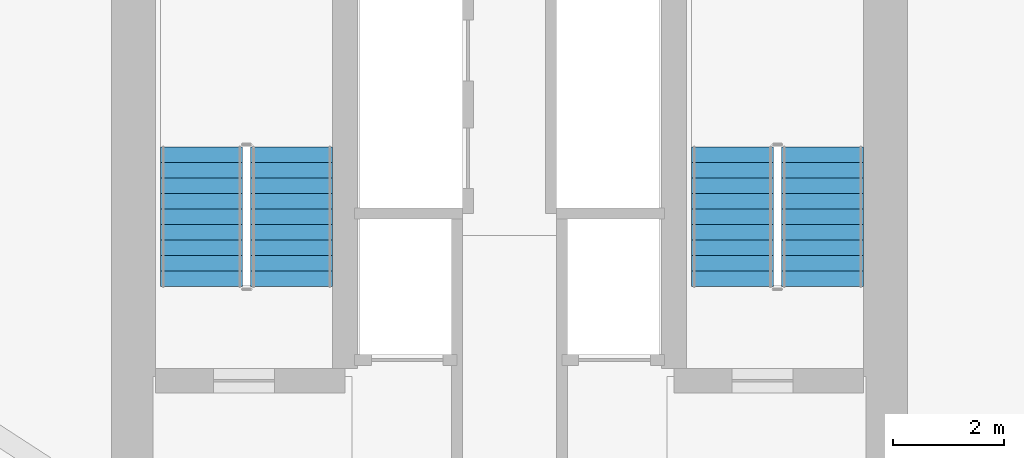
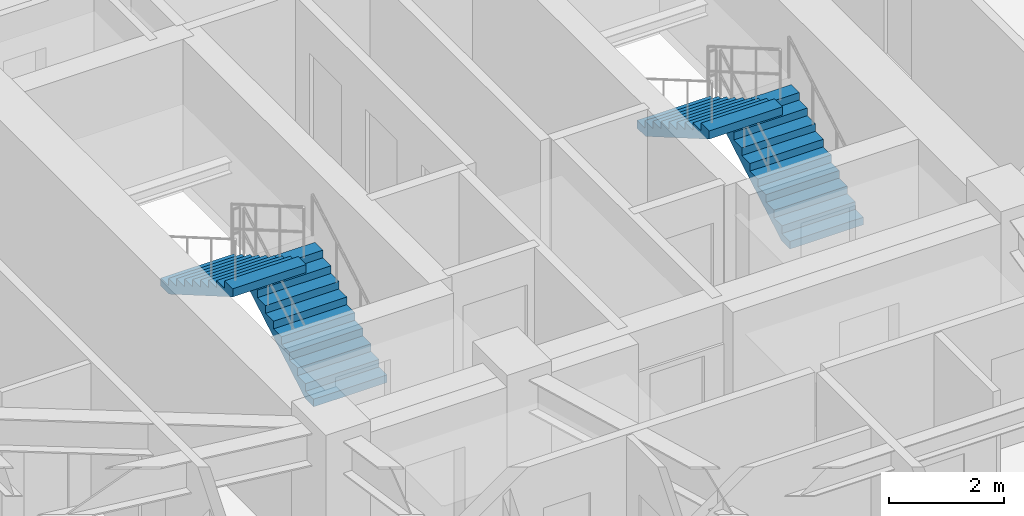
# One storey, part 37 of 39: 4 stair flights, 2 elements without a shape of their own.
"""IFC4 building model written with IfcOpenShell, lengths in metres."""

from ifc_helpers import new_model, si_unit, direction, frame, origin, place, context, subcontext, project, spatial, polyline, outline, extrude, material, type_object, element, aggregate, save


model = new_model("IFC4")

# Units and contexts
model_context = context("Model", 3, precision=1e-05, world=origin(), true_north=direction((0.0, 1.0)))
body_context = subcontext(model_context, "Body", "Model", "MODEL_VIEW")
ifc_project = project(units=[si_unit("LENGTHUNIT", "METRE"), si_unit("AREAUNIT", "SQUARE_METRE"), si_unit("VOLUMEUNIT", "CUBIC_METRE"), si_unit("PLANEANGLEUNIT", "RADIAN"), si_unit("MASSUNIT", "GRAM", prefix="KILO")], contexts=[model_context])

# Site, building, storey
site_placement = place(None, origin())
site = spatial("IfcSite", under=ifc_project, at=site_placement, CompositionType="ELEMENT")
building_placement = place(site_placement, origin())
building = spatial("IfcBuilding", under=site, at=building_placement, Name="Veraguas Prism Commons", CompositionType="ELEMENT")
storey_placement = place(building_placement, frame((0.0, 0.0, 67.35009765625)))
storey = spatial("IfcBuildingStorey", under=building, at=storey_placement, Name="L18", CompositionType="ELEMENT", Elevation=67.35009765625)

# Stair, stair flights
ifc_material = material(Name="Precast concrete C45/55", Category="concrete")
stair_type = type_object("IfcStairType", Name="Dogleg Core Stair 1480W 20R 05", PredefinedType="HALF_TURN_STAIR", material=ifc_material)
stair_1_placement = place(storey_placement, origin())
stair_1 = element("IfcStair", 1, at=stair_1_placement, inside=storey, type_object=stair_type, Name="Protected Exit Stair ST-01 L18", PredefinedType="HALF_TURN_STAIR")
stair_flight_type = type_object("IfcStairFlightType", Name="Precast Stair Flight 1480W 10R 05", PredefinedType="STRAIGHT", material=ifc_material)
stair_flight_1_placement = place(storey_placement, frame((20.06005859375, 21.280029296875, 0.0), z_axis=(0.0, 0.0, 1.0), x_axis=(0.0, 1.0, 0.0)))
stair_flight_1 = element("IfcStairFlight", 2, at=stair_flight_1_placement, type_object=stair_flight_type, Name="ST-05 Flight 1", NumberOfRisers=10, NumberOfTreads=9, PredefinedType="STRAIGHT", RiserHeight=0.1625, TreadLength=0.28, context=body_context, shape_type="SweptSolid", body=[
    extrude(outline(polyline([(0.0, 0.0), (0.0, 0.16259765625), (0.280029296875, 0.16259765625), (0.280029296875, 0.324951171875), (0.56005859375, 0.324951171875), (0.56005859375, 0.487548828125), (0.840087890625, 0.487548828125), (0.840087890625, 0.64990234375), (1.1201171875, 0.64990234375), (1.1201171875, 0.8125), (1.39990234375, 0.8125), (1.39990234375, 0.97509765625), (1.679931640625, 0.97509765625), (1.679931640625, 1.137451171875), (1.9599609375, 1.137451171875), (1.9599609375, 1.300048828125), (2.239990234375, 1.300048828125), (2.239990234375, 1.46240234375), (2.52001953125, 1.46240234375), (2.52001953125, 1.625), (2.52001953125, 1.2890625), (0.298583984375, 0.0), (0.0, 0.0)])), frame((0.0, 0.739990234375, 0.0), z_axis=(0.0, -1.0, 0.0), x_axis=(1.0, 0.0, 0.0)), (0.0, 0.0, 1.0), 1.47998046875),
])
stair_flight_2_placement = place(storey_placement, frame((18.429931640625, 23.800048828125, 1.625), z_axis=(0.0, 0.0, 1.0), x_axis=(0.0, -1.0, 0.0)))
stair_flight_2 = element("IfcStairFlight", 3, at=stair_flight_2_placement, type_object=stair_flight_type, Name="ST-05 Flight 2", NumberOfRisers=10, NumberOfTreads=9, PredefinedType="STRAIGHT", RiserHeight=0.1625, TreadLength=0.28, context=body_context, shape_type="SweptSolid", body=[
    extrude(outline(polyline([(0.0, 0.0), (0.0, 0.16259765625), (0.280029296875, 0.16259765625), (0.280029296875, 0.324951171875), (0.56005859375, 0.324951171875), (0.56005859375, 0.487548828125), (0.840087890625, 0.487548828125), (0.840087890625, 0.64990234375), (1.1201171875, 0.64990234375), (1.1201171875, 0.8125), (1.39990234375, 0.8125), (1.39990234375, 0.97509765625), (1.679931640625, 0.97509765625), (1.679931640625, 1.137451171875), (1.9599609375, 1.137451171875), (1.9599609375, 1.300048828125), (2.239990234375, 1.300048828125), (2.239990234375, 1.46240234375), (2.52001953125, 1.46240234375), (2.52001953125, 1.625), (2.52001953125, 1.2890625), (0.298583984375, 0.0), (0.0, 0.0)])), frame((0.0, 0.739990234375, 0.0), z_axis=(0.0, -1.0, 0.0), x_axis=(1.0, 0.0, 0.0)), (0.0, 0.0, 1.0), 1.47998046875),
])
aggregate(stair_1, [stair_flight_1, stair_flight_2])

stair_2_placement = place(storey_placement, origin())
stair_2 = element("IfcStair", 4, at=stair_2_placement, inside=storey, type_object=stair_type, Name="Protected Exit Stair ST-02 L18", PredefinedType="HALF_TURN_STAIR")
stair_flight_3_placement = place(storey_placement, frame((29.659912109375, 21.280029296875, 0.0), z_axis=(0.0, 0.0, 1.0), x_axis=(0.0, 1.0, 0.0)))
stair_flight_3 = element("IfcStairFlight", 5, at=stair_flight_3_placement, type_object=stair_flight_type, Name="ST-05 Flight 1", NumberOfRisers=10, NumberOfTreads=9, PredefinedType="STRAIGHT", RiserHeight=0.1625, TreadLength=0.28, context=body_context, shape_type="SweptSolid", body=[
    extrude(outline(polyline([(0.0, 0.0), (0.0, 0.16259765625), (0.280029296875, 0.16259765625), (0.280029296875, 0.324951171875), (0.56005859375, 0.324951171875), (0.56005859375, 0.487548828125), (0.840087890625, 0.487548828125), (0.840087890625, 0.64990234375), (1.1201171875, 0.64990234375), (1.1201171875, 0.8125), (1.39990234375, 0.8125), (1.39990234375, 0.97509765625), (1.679931640625, 0.97509765625), (1.679931640625, 1.137451171875), (1.9599609375, 1.137451171875), (1.9599609375, 1.300048828125), (2.239990234375, 1.300048828125), (2.239990234375, 1.46240234375), (2.52001953125, 1.46240234375), (2.52001953125, 1.625), (2.52001953125, 1.2890625), (0.298583984375, 0.0), (0.0, 0.0)])), frame((0.0, 0.739990234375, 0.0), z_axis=(0.0, -1.0, 0.0), x_axis=(1.0, 0.0, 0.0)), (0.0, 0.0, 1.0), 1.47998046875),
])
stair_flight_4_placement = place(storey_placement, frame((28.030029296875, 23.800048828125, 1.625), z_axis=(0.0, 0.0, 1.0), x_axis=(0.0, -1.0, 0.0)))
stair_flight_4 = element("IfcStairFlight", 6, at=stair_flight_4_placement, type_object=stair_flight_type, Name="ST-05 Flight 2", NumberOfRisers=10, NumberOfTreads=9, PredefinedType="STRAIGHT", RiserHeight=0.1625, TreadLength=0.28, context=body_context, shape_type="SweptSolid", body=[
    extrude(outline(polyline([(0.0, 0.0), (0.0, 0.16259765625), (0.280029296875, 0.16259765625), (0.280029296875, 0.324951171875), (0.56005859375, 0.324951171875), (0.56005859375, 0.487548828125), (0.840087890625, 0.487548828125), (0.840087890625, 0.64990234375), (1.1201171875, 0.64990234375), (1.1201171875, 0.8125), (1.39990234375, 0.8125), (1.39990234375, 0.97509765625), (1.679931640625, 0.97509765625), (1.679931640625, 1.137451171875), (1.9599609375, 1.137451171875), (1.9599609375, 1.300048828125), (2.239990234375, 1.300048828125), (2.239990234375, 1.46240234375), (2.52001953125, 1.46240234375), (2.52001953125, 1.625), (2.52001953125, 1.2890625), (0.298583984375, 0.0), (0.0, 0.0)])), frame((0.0, 0.739990234375, 0.0), z_axis=(0.0, -1.0, 0.0), x_axis=(1.0, 0.0, 0.0)), (0.0, 0.0, 1.0), 1.47998046875),
])
aggregate(stair_2, [stair_flight_3, stair_flight_4])

save(model, "model.ifc")
